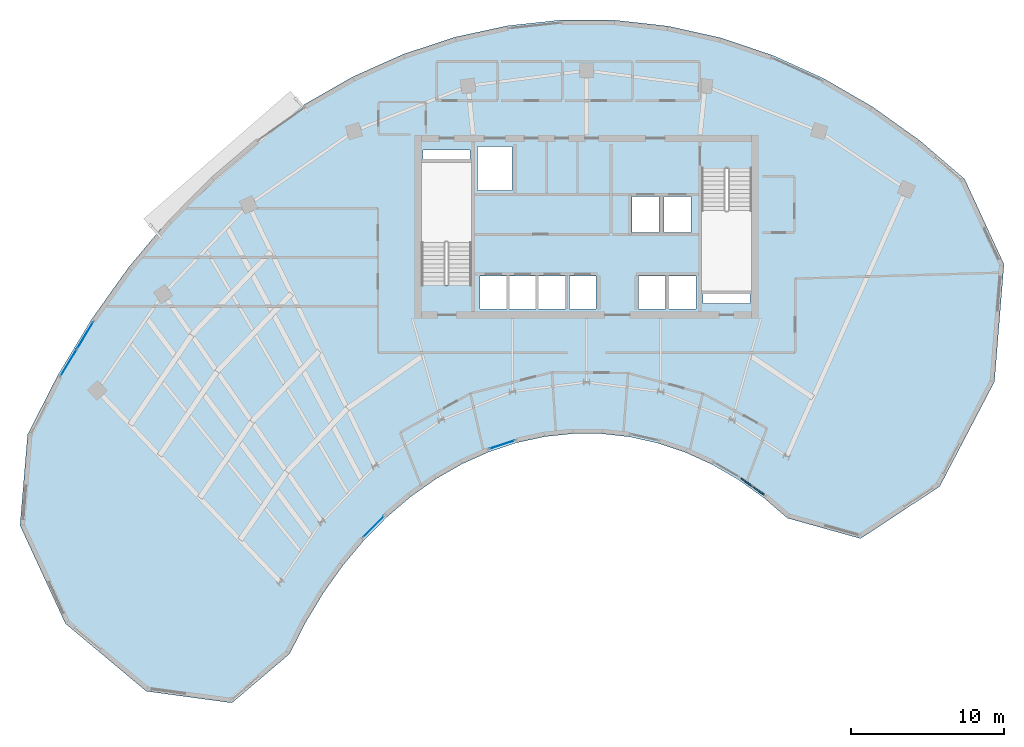
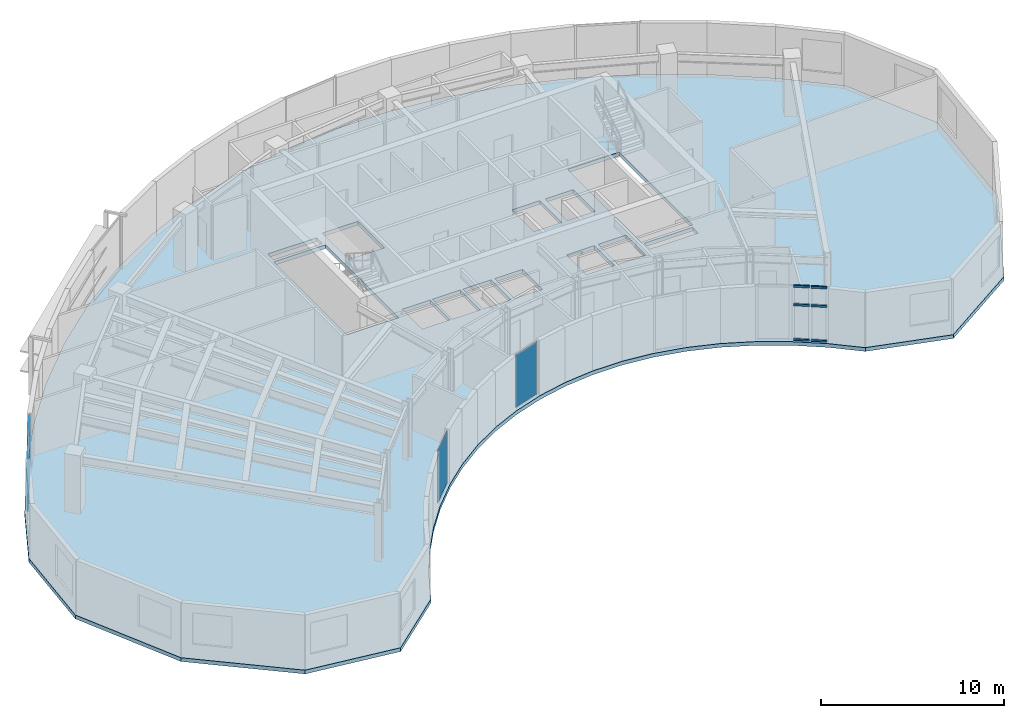
# One storey, part 5 of 12: 6 members, 6 plates, 1 slab, 4 elements without a shape of their own.
"""IFC4 building model written with IfcOpenShell, lengths in metres."""

from ifc_helpers import new_model, si_unit, direction, frame, origin, origin_2d, place, context, subcontext, project, spatial, polyline, rectangle, outline, extrude, source, transform, mapped, material, layer, layer_set, material_profile, profile_set, type_object, element, aggregate, save


model = new_model("IFC4")

# Units and contexts
model_context = context("Model", 3, precision=1e-05, world=origin(), true_north=direction((0.0, 1.0)))
body_context = subcontext(model_context, "Body", "Model", "MODEL_VIEW")
ifc_project = project(units=[si_unit("LENGTHUNIT", "METRE"), si_unit("AREAUNIT", "SQUARE_METRE"), si_unit("VOLUMEUNIT", "CUBIC_METRE"), si_unit("PLANEANGLEUNIT", "RADIAN"), si_unit("MASSUNIT", "GRAM", prefix="KILO")], contexts=[model_context])

# Site, building, storey
site_placement = place(None, origin())
site = spatial("IfcSite", under=ifc_project, at=site_placement, CompositionType="ELEMENT")
building_placement = place(site_placement, origin())
building = spatial("IfcBuilding", under=site, at=building_placement, Name="Breltana Convention Tower", CompositionType="ELEMENT")
storey_placement = place(building_placement, frame((0.0, 0.0, 243.0)))
storey = spatial("IfcBuildingStorey", under=building, at=storey_placement, Name="L59", CompositionType="ELEMENT", Elevation=243.0)

# Curtain wall, members
ifc_material_1 = material(Name="Aluminium Anodised Bronze Frame", Category="aluminium")
ifc_layer_1 = layer(ifc_material_1, 0.18994140625, Name="Aluminium Anodised Bronze Frame")
ifc_layer_set_1 = layer_set([ifc_layer_1], Name="Aluminium Anodised Bronze Frame")
curtain_wall_type_1 = type_object("IfcCurtainWallType", Name="CW-SYS-1", PredefinedType="NOTDEFINED", material=ifc_layer_set_1)
curtain_wall_1_placement = place(storey_placement, origin())
curtain_wall_1 = element("IfcCurtainWall", 1, at=curtain_wall_1_placement, inside=storey, type_object=curtain_wall_type_1, Name="L59 inner south-court glazing 1", PredefinedType="NOTDEFINED")
ifc_material_2 = material(Name="Aluminium Anodised Bronze", Category="aluminium")
ifc_material_profile = material_profile(ifc_material_2, rectangle(XDim=0.080078125, YDim=0.139892578125, at=origin_2d()), Name="CWT-80X140")
ifc_profile_set = profile_set([ifc_material_profile], Name="Aluminium Anodised Bronze")
member_type = type_object("IfcMemberType", Name="CWT-140", PredefinedType="USERDEFINED", material=ifc_profile_set)
shared_shape_1 = source(origin(), body_context, "Body", "SweptSolid", [
    extrude(rectangle(XDim=0.080078125, YDim=0.139892578125, at=origin_2d()), origin(), (0.0, 0.0, 1.0), 0.88720703125),
])
member_1_placement = place(storey_placement, frame((59.6103515625, 48.673583984375, 0.0400390625), z_axis=(-0.814198008079, 0.580587292007, 0.0), x_axis=(-0.580587292007, -0.814198008079, 0.0)))
member_1 = element("IfcMember", 2, at=member_1_placement, type_object=member_type, Name="CW-01 transom 1.1", ObjectType="TRANSOM", PredefinedType="USERDEFINED", context=body_context, shape_type="MappedRepresentation", body=[
    mapped(shared_shape_1, transform((0.0, 0.0, 0.0), scale=1.0)),
])
member_2_placement = place(storey_placement, frame((59.6103515625, 48.673583984375, 2.37255859375), z_axis=(-0.814198008079, 0.580587292007, 0.0), x_axis=(-0.580587292007, -0.814198008079, 0.0)))
member_2 = element("IfcMember", 3, at=member_2_placement, type_object=member_type, Name="CW-01 transom 1.2", ObjectType="TRANSOM", PredefinedType="USERDEFINED", context=body_context, shape_type="MappedRepresentation", body=[
    mapped(shared_shape_1, transform((0.0, 0.0, 0.0), scale=1.0)),
])
member_3_placement = place(storey_placement, frame((59.6103515625, 48.673583984375, 3.610107421875), z_axis=(-0.814198008079, 0.580587292007, 0.0), x_axis=(-0.580587292007, -0.814198008079, 0.0)))
member_3 = element("IfcMember", 4, at=member_3_placement, type_object=member_type, Name="CW-01 transom 1.3", ObjectType="TRANSOM", PredefinedType="USERDEFINED", context=body_context, shape_type="MappedRepresentation", body=[
    mapped(shared_shape_1, transform((0.0, 0.0, 0.0), scale=1.0)),
])
shared_shape_2 = source(origin(), body_context, "Body", "SweptSolid", [
    extrude(rectangle(XDim=0.080078125, YDim=0.139892578125, at=origin_2d()), origin(), (0.0, 0.0, 1.0), 0.887451171875),
])
member_4_placement = place(storey_placement, frame((58.82275390625, 49.235107421875, 0.0400390625), z_axis=(-0.814067936788, 0.58076965683, 0.0), x_axis=(-0.58076965683, -0.814067936788, 0.0)))
member_4 = element("IfcMember", 5, at=member_4_placement, type_object=member_type, Name="CW-01 transom 2.1", ObjectType="TRANSOM", PredefinedType="USERDEFINED", context=body_context, shape_type="MappedRepresentation", body=[
    mapped(shared_shape_2, transform((0.0, 0.0, 0.0), scale=1.0)),
])
member_5_placement = place(storey_placement, frame((58.82275390625, 49.235107421875, 2.37255859375), z_axis=(-0.814067936788, 0.58076965683, 0.0), x_axis=(-0.58076965683, -0.814067936788, 0.0)))
member_5 = element("IfcMember", 6, at=member_5_placement, type_object=member_type, Name="CW-01 transom 2.2", ObjectType="TRANSOM", PredefinedType="USERDEFINED", context=body_context, shape_type="MappedRepresentation", body=[
    mapped(shared_shape_2, transform((0.0, 0.0, 0.0), scale=1.0)),
])
member_6_placement = place(storey_placement, frame((58.82275390625, 49.235107421875, 3.610107421875), z_axis=(-0.814067936788, 0.58076965683, 0.0), x_axis=(-0.58076965683, -0.814067936788, 0.0)))
member_6 = element("IfcMember", 7, at=member_6_placement, type_object=member_type, Name="CW-01 transom 2.3", ObjectType="TRANSOM", PredefinedType="USERDEFINED", context=body_context, shape_type="MappedRepresentation", body=[
    mapped(shared_shape_2, transform((0.0, 0.0, 0.0), scale=1.0)),
])
aggregate(curtain_wall_1, [member_1, member_2, member_3, member_4, member_5, member_6])

# Slab
ifc_material_3 = material(Name="Concrete C40/50", Category="concrete")
ifc_layer_2 = layer(ifc_material_3, 0.25, Name="Concrete C40/50")
ifc_layer_set_2 = layer_set([ifc_layer_2], Name="Concrete C40/50")
slab_type = type_object("IfcSlabType", Name="SL-OFF-250", PredefinedType="FLOOR", material=ifc_layer_set_2)
slab_placement = place(storey_placement, frame((0.0, 0.0, -0.25)))
element("IfcSlab", 8, at=slab_placement, inside=storey, type_object=slab_type, Name="L59 Suspended Structural Floor Slab", PredefinedType="FLOOR", context=body_context, shape_type="SweptSolid", body=[
    extrude(outline(polyline([(72.72119140625, 69.309326171875), (69.777587890625, 71.839111328125), (66.690673828125, 74.040771484375), (63.480712890625, 75.89990234375), (60.1689453125, 77.404296875), (56.777099609375, 78.543701171875), (53.3271484375, 79.31103515625), (49.84228515625, 79.701171875), (46.345458984375, 79.71142578125), (42.859375, 79.341796875), (39.4072265625, 78.594482421875), (36.01171875, 77.474853515625), (32.69482421875, 75.989990234375), (29.47900390625, 74.149658203125), (26.385009765625, 71.966064453125), (23.43310546875, 69.453369140625), (20.64306640625, 66.62841796875), (18.033203125, 63.509765625), (15.62060546875, 60.11767578125), (13.4208984375, 56.474853515625), (11.44921875, 52.60498046875), (10.952392578125, 46.661865234375), (13.9169921875, 40.24951171875), (19.210693359375, 35.81689453125), (24.811279296875, 35.0576171875), (28.57958984375, 38.260986328125), (29.62744140625, 40.317138671875), (30.796142578125, 42.252685546875), (32.077880859375, 44.05517578125), (33.464599609375, 45.712158203125), (34.947021484375, 47.213134765625), (36.515380859375, 48.548095703125), (38.1591796875, 49.708251953125), (39.8681640625, 50.68603515625), (41.63037109375, 51.47509765625), (43.4345703125, 52.070068359375), (45.268798828125, 52.467041015625), (47.120849609375, 52.663330078125), (48.97900390625, 52.657958984375), (50.83056640625, 52.45068359375), (52.663330078125, 52.04296875), (54.465576171875, 51.4375), (56.225341796875, 50.63818359375), (57.930908203125, 49.650390625), (59.57080078125, 48.480712890625), (61.135009765625, 47.136474609375), (65.921142578125, 45.801025390625), (71.092041015625, 49.210205078125), (74.67236328125, 56.06201171875), (75.294677734375, 63.7392578125), (72.72119140625, 69.309326171875)]), holes=[polyline([(37.199951171875, 62.385009765625), (40.469970703125, 62.385009765625), (40.469970703125, 70.39990234375), (37.199951171875, 70.39990234375), (37.199951171875, 62.385009765625)]), polyline([(55.530029296875, 62.0), (58.800048828125, 62.0), (58.800048828125, 70.014892578125), (55.530029296875, 70.014892578125), (55.530029296875, 62.0)]), polyline([(41.0400390625, 60.800048828125), (42.800048828125, 60.800048828125), (42.800048828125, 62.97998046875), (41.0400390625, 62.97998046875), (41.0400390625, 60.800048828125)]), polyline([(42.93994140625, 60.800048828125), (44.699951171875, 60.800048828125), (44.699951171875, 62.97998046875), (42.93994140625, 62.97998046875), (42.93994140625, 60.800048828125)]), polyline([(44.8701171875, 60.800048828125), (46.6298828125, 60.800048828125), (46.6298828125, 62.97998046875), (44.8701171875, 62.97998046875), (44.8701171875, 60.800048828125)]), polyline([(46.8701171875, 60.800048828125), (48.6298828125, 60.800048828125), (48.6298828125, 62.97998046875), (46.8701171875, 62.97998046875), (46.8701171875, 60.800048828125)]), polyline([(51.39990234375, 60.800048828125), (53.159912109375, 60.800048828125), (53.159912109375, 62.97998046875), (51.39990234375, 62.97998046875), (51.39990234375, 60.800048828125)]), polyline([(53.39990234375, 60.800048828125), (55.159912109375, 60.800048828125), (55.159912109375, 62.97998046875), (53.39990234375, 62.97998046875), (53.39990234375, 60.800048828125)]), polyline([(50.969970703125, 65.800048828125), (52.72998046875, 65.800048828125), (52.72998046875, 68.179931640625), (50.969970703125, 68.179931640625), (50.969970703125, 65.800048828125)]), polyline([(53.070068359375, 65.800048828125), (54.830078125, 65.800048828125), (54.830078125, 68.179931640625), (53.070068359375, 68.179931640625), (53.070068359375, 65.800048828125)]), polyline([(40.8798828125, 68.550048828125), (43.1201171875, 68.550048828125), (43.1201171875, 71.449951171875), (40.8798828125, 71.449951171875), (40.8798828125, 68.550048828125)]), polyline([(37.300048828125, 70.60009765625), (40.3798828125, 70.60009765625), (40.3798828125, 71.219970703125), (37.300048828125, 71.219970703125), (37.300048828125, 70.60009765625)]), polyline([(55.6201171875, 61.179931640625), (58.699951171875, 61.179931640625), (58.699951171875, 61.800048828125), (55.6201171875, 61.800048828125), (55.6201171875, 61.179931640625)])]), origin(), (0.0, 0.0, 1.0), 0.25),
])

# Curtain wall, plates
ifc_layer_3 = layer(ifc_material_1, 0.219970703125, Name="Aluminium Anodised Bronze Frame")
ifc_layer_set_3 = layer_set([ifc_layer_3], Name="Aluminium Anodised Bronze Frame")
curtain_wall_type_2 = type_object("IfcCurtainWallType", Name="CW-SYS-4", PredefinedType="NOTDEFINED", material=ifc_layer_set_3)
curtain_wall_2_placement = place(storey_placement, origin())
curtain_wall_2 = element("IfcCurtainWall", 9, at=curtain_wall_2_placement, inside=storey, type_object=curtain_wall_type_2, Name="L59 outer double-skin inner glazing 1", PredefinedType="NOTDEFINED")
ifc_material_4 = material(Name="Glass Low-E Double Glazing", Category="glass")
ifc_layer_4 = layer(ifc_material_4, 0.028076171875, Name="Glass Low-E Double Glazing")
ifc_layer_set_4 = layer_set([ifc_layer_4], Name="Glass Low-E Double Glazing")
plate_type = type_object("IfcPlateType", Name="CWP-IGU-28", PredefinedType="CURTAIN_PANEL", material=ifc_layer_set_4)
shared_shape_3 = source(origin(), body_context, "Body", "SweptSolid", [
    extrude(rectangle(XDim=2.001220703125, YDim=0.028076171875, at=origin_2d()), origin(), (0.0, 0.0, 1.0), 2.267578125),
])
plate_1_placement = place(storey_placement, frame((14.136962890625, 57.312255859375, 0.070068359375), z_axis=(0.0, 0.0, 1.0), x_axis=(0.516875291963, 0.856060706117, 0.0)))
plate_1 = element("IfcPlate", 10, at=plate_1_placement, type_object=plate_type, Name="CW-04 panel 1.1", PredefinedType="CURTAIN_PANEL", context=body_context, shape_type="MappedRepresentation", body=[
    mapped(shared_shape_3, transform((0.0, 0.0, 0.0), scale=1.0)),
])
plate_2_placement = place(storey_placement, frame((15.212646484375, 59.093994140625, 0.070068359375), z_axis=(0.0, 0.0, 1.0), x_axis=(0.516875291963, 0.856060706117, 0.0)))
plate_2 = element("IfcPlate", 11, at=plate_2_placement, type_object=plate_type, Name="CW-04 panel 2.1", PredefinedType="CURTAIN_PANEL", context=body_context, shape_type="MappedRepresentation", body=[
    mapped(shared_shape_3, transform((0.0, 0.0, 0.0), scale=1.0)),
])
shared_shape_4 = source(origin(), body_context, "Body", "SweptSolid", [
    extrude(rectangle(XDim=2.001220703125, YDim=0.028076171875, at=origin_2d()), origin(), (0.0, 0.0, 1.0), 1.172607421875),
])
plate_3_placement = place(storey_placement, frame((14.136962890625, 57.312255859375, 2.4072265625), z_axis=(0.0, 0.0, 1.0), x_axis=(0.516875291963, 0.856060706117, 0.0)))
plate_3 = element("IfcPlate", 12, at=plate_3_placement, type_object=plate_type, Name="CW-04 panel 1.2", PredefinedType="CURTAIN_PANEL", context=body_context, shape_type="MappedRepresentation", body=[
    mapped(shared_shape_4, transform((0.0, 0.0, 0.0), scale=1.0)),
])
plate_4_placement = place(storey_placement, frame((15.212646484375, 59.093994140625, 2.4072265625), z_axis=(0.0, 0.0, 1.0), x_axis=(0.516875291963, 0.856060706117, 0.0)))
plate_4 = element("IfcPlate", 13, at=plate_4_placement, type_object=plate_type, Name="CW-04 panel 2.2", PredefinedType="CURTAIN_PANEL", context=body_context, shape_type="MappedRepresentation", body=[
    mapped(shared_shape_4, transform((0.0, 0.0, 0.0), scale=1.0)),
])
aggregate(curtain_wall_2, [plate_1, plate_3, plate_2, plate_4])

# Curtain wall, plate
curtain_wall_3_placement = place(storey_placement, origin())
curtain_wall_3 = element("IfcCurtainWall", 14, at=curtain_wall_3_placement, inside=storey, type_object=curtain_wall_type_1, Name="L59 inner south-court glazing 4", PredefinedType="NOTDEFINED")
shared_shape_5 = source(origin(), body_context, "Body", "SweptSolid", [
    extrude(rectangle(XDim=1.73974609375, YDim=0.028076171875, at=origin_2d()), origin(), (0.0, 0.0, 1.0), 3.489990234375),
])
plate_5_placement = place(storey_placement, frame((42.47607421875, 51.943359375, 0.080078125), z_axis=(0.0, 0.0, 1.0), x_axis=(-0.949689096646, -0.313194220432, 0.0)))
plate_5 = element("IfcPlate", 15, at=plate_5_placement, type_object=plate_type, Name="CW-01 panel 1.1", PredefinedType="CURTAIN_PANEL", context=body_context, shape_type="MappedRepresentation", body=[
    mapped(shared_shape_5, transform((0.0, 0.0, 0.0), scale=1.0)),
])
aggregate(curtain_wall_3, [plate_5])

curtain_wall_4_placement = place(storey_placement, origin())
curtain_wall_4 = element("IfcCurtainWall", 16, at=curtain_wall_4_placement, inside=storey, type_object=curtain_wall_type_1, Name="L59 inner south-court glazing 5", PredefinedType="NOTDEFINED")
shared_shape_6 = source(origin(), body_context, "Body", "SweptSolid", [
    extrude(rectangle(XDim=1.94970703125, YDim=0.028076171875, at=origin_2d()), origin(), (0.0, 0.0, 1.0), 3.489990234375),
])
plate_6_placement = place(storey_placement, frame((34.077880859375, 46.589111328125, 0.080078125), z_axis=(0.0, 0.0, 1.0), x_axis=(-0.702684669513, -0.711501409156, 0.0)))
plate_6 = element("IfcPlate", 17, at=plate_6_placement, type_object=plate_type, Name="CW-01 panel 1.1", PredefinedType="CURTAIN_PANEL", context=body_context, shape_type="MappedRepresentation", body=[
    mapped(shared_shape_6, transform((0.0, 0.0, 0.0), scale=1.0)),
])
aggregate(curtain_wall_4, [plate_6])

save(model, "model.ifc")
